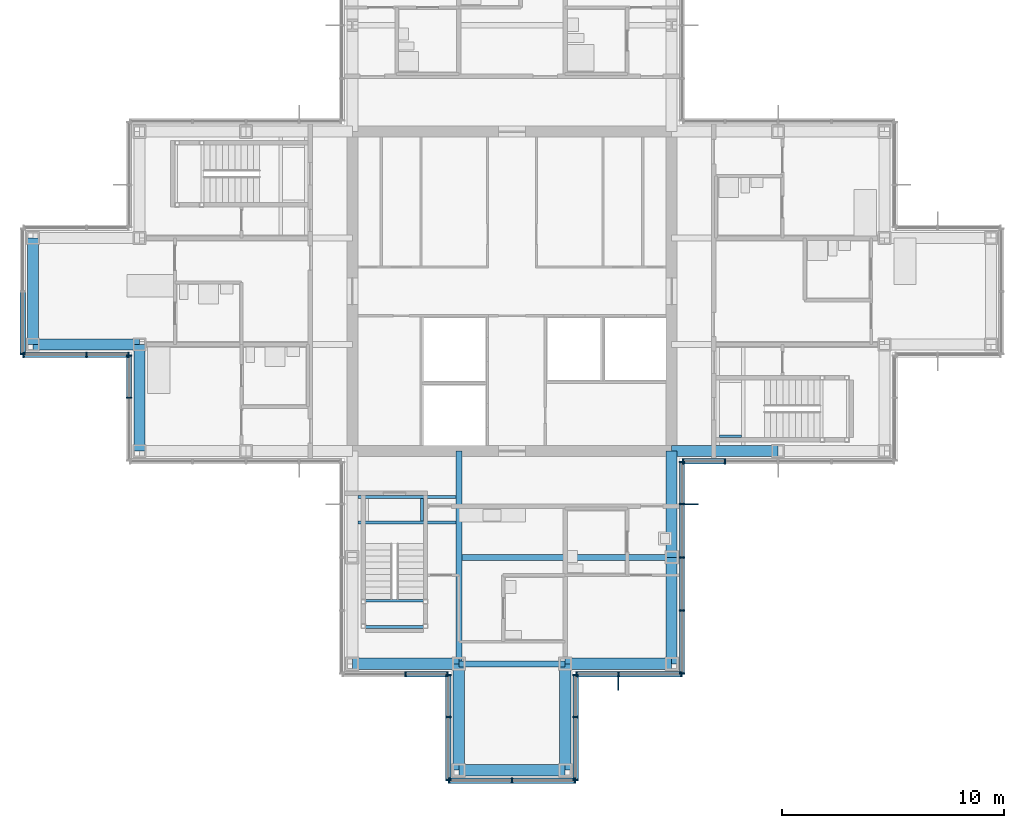
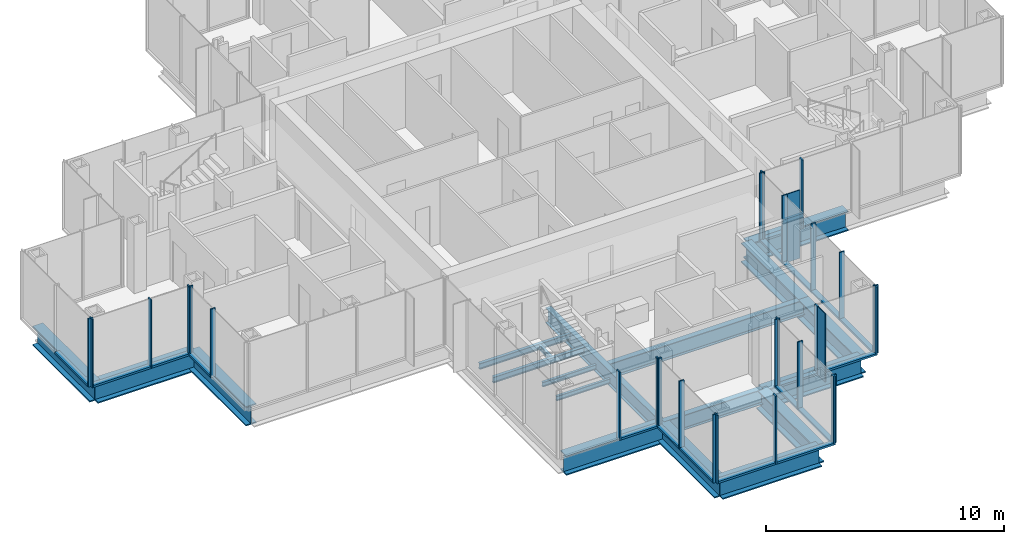
# One storey, part 6 of 17: 47 members, 20 beams, 10 elements without a shape of their own.
"""IFC4 building model written with IfcOpenShell, lengths in metres."""

from ifc_helpers import new_model, si_unit, direction, frame, origin, origin_2d, place, context, subcontext, project, spatial, rectangle, i_section, extrude, material, material_profile, profile_set, type_object, element, aggregate, save


model = new_model("IFC4")

# Units and contexts
model_context = context("Model", 3, precision=1e-05, world=origin(), true_north=direction((0.0, 1.0)))
body_context = subcontext(model_context, "Body", "Model", "MODEL_VIEW")
ifc_project = project(units=[si_unit("LENGTHUNIT", "METRE"), si_unit("AREAUNIT", "SQUARE_METRE"), si_unit("VOLUMEUNIT", "CUBIC_METRE"), si_unit("PLANEANGLEUNIT", "RADIAN"), si_unit("MASSUNIT", "GRAM", prefix="KILO")], contexts=[model_context])

# Site, building, storey
site_placement = place(None, origin())
site = spatial("IfcSite", under=ifc_project, at=site_placement, CompositionType="ELEMENT")
building_placement = place(site_placement, origin())
building = spatial("IfcBuilding", under=site, at=building_placement, Name="Kvirike Care Tower", CompositionType="ELEMENT")
storey_placement = place(building_placement, frame((0.0, 0.0, 148.0)))
storey = spatial("IfcBuildingStorey", under=building, at=storey_placement, Name="L40", CompositionType="ELEMENT", Elevation=148.0)

# Curtain wall, member
ifc_material_1 = material(Name="Anodised aluminium stick system", Category="aluminium")
curtain_wall_type = type_object("IfcCurtainWallType", Name="CW-C STICK CURTAIN WALL", PredefinedType="NOTDEFINED", material=ifc_material_1)
curtain_wall_1_placement = place(storey_placement, origin())
curtain_wall_1 = element("IfcCurtainWall", 1, at=curtain_wall_1_placement, inside=storey, type_object=curtain_wall_type, Name="Curtain wall L40 face 27", PredefinedType="NOTDEFINED")
ifc_material_2 = material(Name="Bronze anodised aluminium fin", Category="aluminium")
ifc_material_profile_1 = material_profile(ifc_material_2, rectangle(XDim=0.050048828125, YDim=0.60009765625, at=origin_2d()), Name="BRONZE FIN 600")
ifc_profile_set_1 = profile_set([ifc_material_profile_1], Name="Bronze anodised aluminium fin")
member_type_1 = type_object("IfcMemberType", Name="BRONZE FIN 600", PredefinedType="USERDEFINED", material=ifc_profile_set_1)
member_1_placement = place(storey_placement, frame((26.39990234375, 18.31005859375, 0.0), z_axis=(0.0, 0.0, 1.0), x_axis=(1.0, 0.0, 0.0)))
member_1 = element("IfcMember", 2, at=member_1_placement, type_object=member_type_1, Name="Bronze fin L40 face 27.2", ObjectType="FIN", PredefinedType="USERDEFINED", context=body_context, shape_type="SweptSolid", body=[
    extrude(rectangle(XDim=0.050048828125, YDim=0.60009765625, at=origin_2d()), origin(), (0.0, 0.0, 1.0), 3.5),
])

curtain_wall_2_placement = place(storey_placement, origin())
curtain_wall_2 = element("IfcCurtainWall", 3, at=curtain_wall_2_placement, inside=storey, type_object=curtain_wall_type, Name="Curtain wall L40 face 28", PredefinedType="NOTDEFINED")
member_2_placement = place(storey_placement, frame((29.68994140625, 26.39990234375, 0.0), z_axis=(0.0, 0.0, 1.0), x_axis=(0.0, 1.0, 0.0)))
member_2 = element("IfcMember", 4, at=member_2_placement, type_object=member_type_1, Name="Bronze fin L40 face 28.4", ObjectType="FIN", PredefinedType="USERDEFINED", context=body_context, shape_type="SweptSolid", body=[
    extrude(rectangle(XDim=0.050048828125, YDim=0.60009765625, at=origin_2d()), origin(), (0.0, 0.0, 1.0), 3.5),
])

# Curtain wall, members
curtain_wall_3_placement = place(storey_placement, origin())
curtain_wall_3 = element("IfcCurtainWall", 5, at=curtain_wall_3_placement, inside=storey, type_object=curtain_wall_type, Name="Curtain wall L40 face 1", PredefinedType="NOTDEFINED")
ifc_material_3 = material(Name="Bronze anodised aluminium mullion", Category="aluminium")
ifc_material_profile_2 = material_profile(ifc_material_3, rectangle(XDim=0.06494140625, YDim=0.239990234375, at=origin_2d()), Name="CW-C MULLION 65x240")
ifc_profile_set_2 = profile_set([ifc_material_profile_2], Name="Bronze anodised aluminium mullion")
member_type_2 = type_object("IfcMemberType", Name="CW-C MULLION 65x240", PredefinedType="MULLION", material=ifc_profile_set_2)
member_3_placement = place(storey_placement, frame((29.302490234375, 28.330078125, 0.0), z_axis=(0.0, 0.0, 1.0), x_axis=(1.0, 0.0, 0.0)))
member_3 = element("IfcMember", 6, at=member_3_placement, type_object=member_type_2, Name="CW-C mullion L40 face 1.1", PredefinedType="MULLION", context=body_context, shape_type="SweptSolid", body=[
    extrude(rectangle(XDim=0.06494140625, YDim=0.239990234375, at=origin_2d()), origin(), (0.0, 0.0, 1.0), 3.5),
])
member_4_placement = place(storey_placement, frame((31.199951171875, 28.330078125, 0.0), z_axis=(0.0, 0.0, 1.0), x_axis=(1.0, 0.0, 0.0)))
member_4 = element("IfcMember", 7, at=member_4_placement, type_object=member_type_2, Name="CW-C mullion L40 face 1.2", PredefinedType="MULLION", context=body_context, shape_type="SweptSolid", body=[
    extrude(rectangle(XDim=0.06494140625, YDim=0.239990234375, at=origin_2d()), origin(), (0.0, 0.0, 1.0), 3.5),
])

# Curtain wall, member
curtain_wall_4_placement = place(storey_placement, origin())
curtain_wall_4 = element("IfcCurtainWall", 8, at=curtain_wall_4_placement, inside=storey, type_object=curtain_wall_type, Name="Curtain wall L40 face 18", PredefinedType="NOTDEFINED")
member_5_placement = place(storey_placement, frame((-0.469970703125, 33.16259765625, 0.0), z_axis=(0.0, 0.0, 1.0), x_axis=(0.0, -1.0, 0.0)))
member_5 = element("IfcMember", 9, at=member_5_placement, type_object=member_type_2, Name="CW-C mullion L40 face 18.3", PredefinedType="MULLION", context=body_context, shape_type="SweptSolid", body=[
    extrude(rectangle(XDim=0.06494140625, YDim=0.239990234375, at=origin_2d()), origin(), (0.0, 0.0, 1.0), 3.5),
])

# Curtain wall, members
curtain_wall_5_placement = place(storey_placement, origin())
curtain_wall_5 = element("IfcCurtainWall", 10, at=curtain_wall_5_placement, inside=storey, type_object=curtain_wall_type, Name="Curtain wall L40 face 19", PredefinedType="NOTDEFINED")
member_6_placement = place(storey_placement, frame((-0.4375, 33.1298828125, 0.0), z_axis=(0.0, 0.0, 1.0), x_axis=(1.0, 0.0, 0.0)))
member_6 = element("IfcMember", 11, at=member_6_placement, type_object=member_type_2, Name="CW-C mullion L40 face 19.1", PredefinedType="MULLION", context=body_context, shape_type="SweptSolid", body=[
    extrude(rectangle(XDim=0.06494140625, YDim=0.239990234375, at=origin_2d()), origin(), (0.0, 0.0, 1.0), 3.5),
])
member_7_placement = place(storey_placement, frame((2.39990234375, 33.1298828125, 0.0), z_axis=(0.0, 0.0, 1.0), x_axis=(1.0, 0.0, 0.0)))
member_7 = element("IfcMember", 12, at=member_7_placement, type_object=member_type_2, Name="CW-C mullion L40 face 19.2", PredefinedType="MULLION", context=body_context, shape_type="SweptSolid", body=[
    extrude(rectangle(XDim=0.06494140625, YDim=0.239990234375, at=origin_2d()), origin(), (0.0, 0.0, 1.0), 3.5),
])
member_8_placement = place(storey_placement, frame((4.297607421875, 33.1298828125, 0.0), z_axis=(0.0, 0.0, 1.0), x_axis=(1.0, 0.0, 0.0)))
member_8 = element("IfcMember", 13, at=member_8_placement, type_object=member_type_2, Name="CW-C mullion L40 face 19.3", PredefinedType="MULLION", context=body_context, shape_type="SweptSolid", body=[
    extrude(rectangle(XDim=0.06494140625, YDim=0.239990234375, at=origin_2d()), origin(), (0.0, 0.0, 1.0), 3.5),
])

curtain_wall_6_placement = place(storey_placement, origin())
curtain_wall_6 = element("IfcCurtainWall", 14, at=curtain_wall_6_placement, inside=storey, type_object=curtain_wall_type, Name="Curtain wall L40 face 20", PredefinedType="NOTDEFINED")
member_9_placement = place(storey_placement, frame((4.330078125, 33.097412109375, 0.0), z_axis=(0.0, 0.0, 1.0), x_axis=(0.0, -1.0, 0.0)))
member_9 = element("IfcMember", 15, at=member_9_placement, type_object=member_type_2, Name="CW-C mullion L40 face 20.1", PredefinedType="MULLION", context=body_context, shape_type="SweptSolid", body=[
    extrude(rectangle(XDim=0.06494140625, YDim=0.239990234375, at=origin_2d()), origin(), (0.0, 0.0, 1.0), 3.5),
])
member_10_placement = place(storey_placement, frame((4.330078125, 31.199951171875, 0.0), z_axis=(0.0, 0.0, 1.0), x_axis=(0.0, -1.0, 0.0)))
member_10 = element("IfcMember", 16, at=member_10_placement, type_object=member_type_2, Name="CW-C mullion L40 face 20.2", PredefinedType="MULLION", context=body_context, shape_type="SweptSolid", body=[
    extrude(rectangle(XDim=0.06494140625, YDim=0.239990234375, at=origin_2d()), origin(), (0.0, 0.0, 1.0), 3.5),
])

curtain_wall_7_placement = place(storey_placement, origin())
curtain_wall_7 = element("IfcCurtainWall", 17, at=curtain_wall_7_placement, inside=storey, type_object=curtain_wall_type, Name="Curtain wall L40 face 23", PredefinedType="NOTDEFINED")
member_11_placement = place(storey_placement, frame((16.800048828125, 18.72998046875, 0.0), z_axis=(0.0, 0.0, 1.0), x_axis=(1.0, 0.0, 0.0)))
member_11 = element("IfcMember", 18, at=member_11_placement, type_object=member_type_2, Name="CW-C mullion L40 face 23.2", PredefinedType="MULLION", context=body_context, shape_type="SweptSolid", body=[
    extrude(rectangle(XDim=0.06494140625, YDim=0.239990234375, at=origin_2d()), origin(), (0.0, 0.0, 1.0), 3.5),
])
member_12_placement = place(storey_placement, frame((18.697509765625, 18.72998046875, 0.0), z_axis=(0.0, 0.0, 1.0), x_axis=(1.0, 0.0, 0.0)))
member_12 = element("IfcMember", 19, at=member_12_placement, type_object=member_type_2, Name="CW-C mullion L40 face 23.3", PredefinedType="MULLION", context=body_context, shape_type="SweptSolid", body=[
    extrude(rectangle(XDim=0.06494140625, YDim=0.239990234375, at=origin_2d()), origin(), (0.0, 0.0, 1.0), 3.5),
])

curtain_wall_8_placement = place(storey_placement, origin())
curtain_wall_8 = element("IfcCurtainWall", 20, at=curtain_wall_8_placement, inside=storey, type_object=curtain_wall_type, Name="Curtain wall L40 face 24", PredefinedType="NOTDEFINED")
member_13_placement = place(storey_placement, frame((18.72998046875, 18.697509765625, 0.0), z_axis=(0.0, 0.0, 1.0), x_axis=(0.0, -1.0, 0.0)))
member_13 = element("IfcMember", 21, at=member_13_placement, type_object=member_type_2, Name="CW-C mullion L40 face 24.1", PredefinedType="MULLION", context=body_context, shape_type="SweptSolid", body=[
    extrude(rectangle(XDim=0.06494140625, YDim=0.239990234375, at=origin_2d()), origin(), (0.0, 0.0, 1.0), 3.5),
])
member_14_placement = place(storey_placement, frame((18.72998046875, 16.800048828125, 0.0), z_axis=(0.0, 0.0, 1.0), x_axis=(0.0, -1.0, 0.0)))
member_14 = element("IfcMember", 22, at=member_14_placement, type_object=member_type_2, Name="CW-C mullion L40 face 24.2", PredefinedType="MULLION", context=body_context, shape_type="SweptSolid", body=[
    extrude(rectangle(XDim=0.06494140625, YDim=0.239990234375, at=origin_2d()), origin(), (0.0, 0.0, 1.0), 3.5),
])
member_15_placement = place(storey_placement, frame((18.72998046875, 13.96240234375, 0.0), z_axis=(0.0, 0.0, 1.0), x_axis=(0.0, -1.0, 0.0)))
member_15 = element("IfcMember", 23, at=member_15_placement, type_object=member_type_2, Name="CW-C mullion L40 face 24.3", PredefinedType="MULLION", context=body_context, shape_type="SweptSolid", body=[
    extrude(rectangle(XDim=0.06494140625, YDim=0.239990234375, at=origin_2d()), origin(), (0.0, 0.0, 1.0), 3.5),
])

curtain_wall_9_placement = place(storey_placement, origin())
curtain_wall_9 = element("IfcCurtainWall", 24, at=curtain_wall_9_placement, inside=storey, type_object=curtain_wall_type, Name="Curtain wall L40 face 25", PredefinedType="NOTDEFINED")
member_16_placement = place(storey_placement, frame((18.762451171875, 13.929931640625, 0.0), z_axis=(0.0, 0.0, 1.0), x_axis=(1.0, 0.0, 0.0)))
member_16 = element("IfcMember", 25, at=member_16_placement, type_object=member_type_2, Name="CW-C mullion L40 face 25.1", PredefinedType="MULLION", context=body_context, shape_type="SweptSolid", body=[
    extrude(rectangle(XDim=0.06494140625, YDim=0.239990234375, at=origin_2d()), origin(), (0.0, 0.0, 1.0), 3.5),
])
member_17_placement = place(storey_placement, frame((21.60009765625, 13.929931640625, 0.0), z_axis=(0.0, 0.0, 1.0), x_axis=(1.0, 0.0, 0.0)))
member_17 = element("IfcMember", 26, at=member_17_placement, type_object=member_type_2, Name="CW-C mullion L40 face 25.2", PredefinedType="MULLION", context=body_context, shape_type="SweptSolid", body=[
    extrude(rectangle(XDim=0.06494140625, YDim=0.239990234375, at=origin_2d()), origin(), (0.0, 0.0, 1.0), 3.5),
])
member_18_placement = place(storey_placement, frame((24.4375, 13.929931640625, 0.0), z_axis=(0.0, 0.0, 1.0), x_axis=(1.0, 0.0, 0.0)))
member_18 = element("IfcMember", 27, at=member_18_placement, type_object=member_type_2, Name="CW-C mullion L40 face 25.3", PredefinedType="MULLION", context=body_context, shape_type="SweptSolid", body=[
    extrude(rectangle(XDim=0.06494140625, YDim=0.239990234375, at=origin_2d()), origin(), (0.0, 0.0, 1.0), 3.5),
])

curtain_wall_10_placement = place(storey_placement, origin())
curtain_wall_10 = element("IfcCurtainWall", 28, at=curtain_wall_10_placement, inside=storey, type_object=curtain_wall_type, Name="Curtain wall L40 face 26", PredefinedType="NOTDEFINED")
member_19_placement = place(storey_placement, frame((24.469970703125, 13.96240234375, 0.0), z_axis=(0.0, 0.0, 1.0), x_axis=(0.0, 1.0, 0.0)))
member_19 = element("IfcMember", 29, at=member_19_placement, type_object=member_type_2, Name="CW-C mullion L40 face 26.1", PredefinedType="MULLION", context=body_context, shape_type="SweptSolid", body=[
    extrude(rectangle(XDim=0.06494140625, YDim=0.239990234375, at=origin_2d()), origin(), (0.0, 0.0, 1.0), 3.5),
])
member_20_placement = place(storey_placement, frame((24.469970703125, 16.800048828125, 0.0), z_axis=(0.0, 0.0, 1.0), x_axis=(0.0, 1.0, 0.0)))
member_20 = element("IfcMember", 30, at=member_20_placement, type_object=member_type_2, Name="CW-C mullion L40 face 26.2", PredefinedType="MULLION", context=body_context, shape_type="SweptSolid", body=[
    extrude(rectangle(XDim=0.06494140625, YDim=0.239990234375, at=origin_2d()), origin(), (0.0, 0.0, 1.0), 3.5),
])
member_21_placement = place(storey_placement, frame((24.469970703125, 18.697509765625, 0.0), z_axis=(0.0, 0.0, 1.0), x_axis=(0.0, 1.0, 0.0)))
member_21 = element("IfcMember", 31, at=member_21_placement, type_object=member_type_2, Name="CW-C mullion L40 face 26.3", PredefinedType="MULLION", context=body_context, shape_type="SweptSolid", body=[
    extrude(rectangle(XDim=0.06494140625, YDim=0.239990234375, at=origin_2d()), origin(), (0.0, 0.0, 1.0), 3.5),
])

# Member
member_22_placement = place(storey_placement, frame((24.50244140625, 18.72998046875, 0.0), z_axis=(0.0, 0.0, 1.0), x_axis=(1.0, 0.0, 0.0)))
member_22 = element("IfcMember", 32, at=member_22_placement, type_object=member_type_2, Name="CW-C mullion L40 face 27.1", PredefinedType="MULLION", context=body_context, shape_type="SweptSolid", body=[
    extrude(rectangle(XDim=0.06494140625, YDim=0.239990234375, at=origin_2d()), origin(), (0.0, 0.0, 1.0), 3.5),
])

member_23_placement = place(storey_placement, frame((26.39990234375, 18.72998046875, 0.0), z_axis=(0.0, 0.0, 1.0), x_axis=(1.0, 0.0, 0.0)))
member_23 = element("IfcMember", 33, at=member_23_placement, type_object=member_type_2, Name="CW-C mullion L40 face 27.2", PredefinedType="MULLION", context=body_context, shape_type="SweptSolid", body=[
    extrude(rectangle(XDim=0.06494140625, YDim=0.239990234375, at=origin_2d()), origin(), (0.0, 0.0, 1.0), 3.5),
])

member_24_placement = place(storey_placement, frame((29.237548828125, 18.72998046875, 0.0), z_axis=(0.0, 0.0, 1.0), x_axis=(1.0, 0.0, 0.0)))
member_24 = element("IfcMember", 34, at=member_24_placement, type_object=member_type_2, Name="CW-C mullion L40 face 27.3", PredefinedType="MULLION", context=body_context, shape_type="SweptSolid", body=[
    extrude(rectangle(XDim=0.06494140625, YDim=0.239990234375, at=origin_2d()), origin(), (0.0, 0.0, 1.0), 3.5),
])

member_25_placement = place(storey_placement, frame((29.27001953125, 18.762451171875, 0.0), z_axis=(0.0, 0.0, 1.0), x_axis=(0.0, 1.0, 0.0)))
member_25 = element("IfcMember", 35, at=member_25_placement, type_object=member_type_2, Name="CW-C mullion L40 face 28.1", PredefinedType="MULLION", context=body_context, shape_type="SweptSolid", body=[
    extrude(rectangle(XDim=0.06494140625, YDim=0.239990234375, at=origin_2d()), origin(), (0.0, 0.0, 1.0), 3.5),
])

member_26_placement = place(storey_placement, frame((29.27001953125, 21.60009765625, 0.0), z_axis=(0.0, 0.0, 1.0), x_axis=(0.0, 1.0, 0.0)))
member_26 = element("IfcMember", 36, at=member_26_placement, type_object=member_type_2, Name="CW-C mullion L40 face 28.2", PredefinedType="MULLION", context=body_context, shape_type="SweptSolid", body=[
    extrude(rectangle(XDim=0.06494140625, YDim=0.239990234375, at=origin_2d()), origin(), (0.0, 0.0, 1.0), 3.5),
])

member_27_placement = place(storey_placement, frame((29.27001953125, 24.0, 0.0), z_axis=(0.0, 0.0, 1.0), x_axis=(0.0, 1.0, 0.0)))
member_27 = element("IfcMember", 37, at=member_27_placement, type_object=member_type_2, Name="CW-C mullion L40 face 28.3", PredefinedType="MULLION", context=body_context, shape_type="SweptSolid", body=[
    extrude(rectangle(XDim=0.06494140625, YDim=0.239990234375, at=origin_2d()), origin(), (0.0, 0.0, 1.0), 3.5),
])

member_28_placement = place(storey_placement, frame((29.27001953125, 26.39990234375, 0.0), z_axis=(0.0, 0.0, 1.0), x_axis=(0.0, 1.0, 0.0)))
member_28 = element("IfcMember", 38, at=member_28_placement, type_object=member_type_2, Name="CW-C mullion L40 face 28.4", PredefinedType="MULLION", context=body_context, shape_type="SweptSolid", body=[
    extrude(rectangle(XDim=0.06494140625, YDim=0.239990234375, at=origin_2d()), origin(), (0.0, 0.0, 1.0), 3.5),
])

member_29_placement = place(storey_placement, frame((29.27001953125, 28.297607421875, 0.0), z_axis=(0.0, 0.0, 1.0), x_axis=(0.0, 1.0, 0.0)))
member_29 = element("IfcMember", 39, at=member_29_placement, type_object=member_type_2, Name="CW-C mullion L40 face 28.5", PredefinedType="MULLION", context=body_context, shape_type="SweptSolid", body=[
    extrude(rectangle(XDim=0.06494140625, YDim=0.239990234375, at=origin_2d()), origin(), (0.0, 0.0, 1.0), 3.5),
])

ifc_material_4 = material(Name="Bronze anodised aluminium transom", Category="aluminium")
ifc_material_profile_3 = material_profile(ifc_material_4, rectangle(XDim=0.239990234375, YDim=0.10009765625, at=origin_2d()), Name="CW-C TRANSOM 240x100")
ifc_profile_set_3 = profile_set([ifc_material_profile_3], Name="Bronze anodised aluminium transom")
member_type_3 = type_object("IfcMemberType", Name="CW-C TRANSOM 240x100", PredefinedType="USERDEFINED", material=ifc_profile_set_3)
member_30_placement = place(storey_placement, frame((29.3349609375, 28.330078125, 0.050048828125), z_axis=(1.0, 0.0, 0.0), x_axis=(0.0, 1.0, 0.0)))
member_30 = element("IfcMember", 40, at=member_30_placement, type_object=member_type_3, Name="CW-C sill transom L40 face 1.1", ObjectType="TRANSOM", PredefinedType="USERDEFINED", context=body_context, shape_type="SweptSolid", body=[
    extrude(rectangle(XDim=0.239990234375, YDim=0.10009765625, at=origin_2d()), origin(), (0.0, 0.0, 1.0), 1.83251953125),
])

aggregate(curtain_wall_3, [member_3, member_4, member_30])

member_31_placement = place(storey_placement, frame((-0.469970703125, 35.967529296875, 0.050048828125), z_axis=(0.0, -1.0, 0.0), x_axis=(1.0, 0.0, 0.0)))
member_31 = element("IfcMember", 41, at=member_31_placement, type_object=member_type_3, Name="CW-C sill transom L40 face 18.2", ObjectType="TRANSOM", PredefinedType="USERDEFINED", context=body_context, shape_type="SweptSolid", body=[
    extrude(rectangle(XDim=0.239990234375, YDim=0.10009765625, at=origin_2d()), origin(), (0.0, 0.0, 1.0), 2.7724609375),
])

aggregate(curtain_wall_4, [member_5, member_31])

member_32_placement = place(storey_placement, frame((-0.405029296875, 33.1298828125, 0.050048828125), z_axis=(1.0, 0.0, 0.0), x_axis=(0.0, 1.0, 0.0)))
member_32 = element("IfcMember", 42, at=member_32_placement, type_object=member_type_3, Name="CW-C sill transom L40 face 19.1", ObjectType="TRANSOM", PredefinedType="USERDEFINED", context=body_context, shape_type="SweptSolid", body=[
    extrude(rectangle(XDim=0.239990234375, YDim=0.10009765625, at=origin_2d()), origin(), (0.0, 0.0, 1.0), 2.7724609375),
])

member_33_placement = place(storey_placement, frame((2.4326171875, 33.1298828125, 0.050048828125), z_axis=(1.0, 0.0, 0.0), x_axis=(0.0, 1.0, 0.0)))
member_33 = element("IfcMember", 43, at=member_33_placement, type_object=member_type_3, Name="CW-C sill transom L40 face 19.2", ObjectType="TRANSOM", PredefinedType="USERDEFINED", context=body_context, shape_type="SweptSolid", body=[
    extrude(rectangle(XDim=0.239990234375, YDim=0.10009765625, at=origin_2d()), origin(), (0.0, 0.0, 1.0), 1.832275390625),
])

aggregate(curtain_wall_5, [member_6, member_7, member_8, member_32, member_33])

member_34_placement = place(storey_placement, frame((4.330078125, 33.06494140625, 0.050048828125), z_axis=(0.0, -1.0, 0.0), x_axis=(1.0, 0.0, 0.0)))
member_34 = element("IfcMember", 44, at=member_34_placement, type_object=member_type_3, Name="CW-C sill transom L40 face 20.1", ObjectType="TRANSOM", PredefinedType="USERDEFINED", context=body_context, shape_type="SweptSolid", body=[
    extrude(rectangle(XDim=0.239990234375, YDim=0.10009765625, at=origin_2d()), origin(), (0.0, 0.0, 1.0), 1.83251953125),
])

aggregate(curtain_wall_6, [member_9, member_10, member_34])

member_35_placement = place(storey_placement, frame((16.83251953125, 18.72998046875, 0.050048828125), z_axis=(1.0, 0.0, 0.0), x_axis=(0.0, 1.0, 0.0)))
member_35 = element("IfcMember", 45, at=member_35_placement, type_object=member_type_3, Name="CW-C sill transom L40 face 23.2", ObjectType="TRANSOM", PredefinedType="USERDEFINED", context=body_context, shape_type="SweptSolid", body=[
    extrude(rectangle(XDim=0.239990234375, YDim=0.10009765625, at=origin_2d()), origin(), (0.0, 0.0, 1.0), 1.83251953125),
])

aggregate(curtain_wall_7, [member_11, member_12, member_35])

member_36_placement = place(storey_placement, frame((18.72998046875, 18.6650390625, 0.050048828125), z_axis=(0.0, -1.0, 0.0), x_axis=(1.0, 0.0, 0.0)))
member_36 = element("IfcMember", 46, at=member_36_placement, type_object=member_type_3, Name="CW-C sill transom L40 face 24.1", ObjectType="TRANSOM", PredefinedType="USERDEFINED", context=body_context, shape_type="SweptSolid", body=[
    extrude(rectangle(XDim=0.239990234375, YDim=0.10009765625, at=origin_2d()), origin(), (0.0, 0.0, 1.0), 1.83251953125),
])

member_37_placement = place(storey_placement, frame((18.72998046875, 16.767578125, 0.050048828125), z_axis=(0.0, -1.0, 0.0), x_axis=(1.0, 0.0, 0.0)))
member_37 = element("IfcMember", 47, at=member_37_placement, type_object=member_type_3, Name="CW-C sill transom L40 face 24.2", ObjectType="TRANSOM", PredefinedType="USERDEFINED", context=body_context, shape_type="SweptSolid", body=[
    extrude(rectangle(XDim=0.239990234375, YDim=0.10009765625, at=origin_2d()), origin(), (0.0, 0.0, 1.0), 2.7724609375),
])

aggregate(curtain_wall_8, [member_13, member_14, member_15, member_36, member_37])

member_38_placement = place(storey_placement, frame((18.794921875, 13.929931640625, 0.050048828125), z_axis=(1.0, 0.0, 0.0), x_axis=(0.0, 1.0, 0.0)))
member_38 = element("IfcMember", 48, at=member_38_placement, type_object=member_type_3, Name="CW-C sill transom L40 face 25.1", ObjectType="TRANSOM", PredefinedType="USERDEFINED", context=body_context, shape_type="SweptSolid", body=[
    extrude(rectangle(XDim=0.239990234375, YDim=0.10009765625, at=origin_2d()), origin(), (0.0, 0.0, 1.0), 2.7724609375),
])

member_39_placement = place(storey_placement, frame((21.632568359375, 13.929931640625, 0.050048828125), z_axis=(1.0, 0.0, 0.0), x_axis=(0.0, 1.0, 0.0)))
member_39 = element("IfcMember", 49, at=member_39_placement, type_object=member_type_3, Name="CW-C sill transom L40 face 25.2", ObjectType="TRANSOM", PredefinedType="USERDEFINED", context=body_context, shape_type="SweptSolid", body=[
    extrude(rectangle(XDim=0.239990234375, YDim=0.10009765625, at=origin_2d()), origin(), (0.0, 0.0, 1.0), 2.7724609375),
])

aggregate(curtain_wall_9, [member_16, member_17, member_18, member_38, member_39])

member_40_placement = place(storey_placement, frame((24.469970703125, 13.9951171875, 0.050048828125), z_axis=(0.0, 1.0, 0.0), x_axis=(-1.0, 0.0, 0.0)))
member_40 = element("IfcMember", 50, at=member_40_placement, type_object=member_type_3, Name="CW-C sill transom L40 face 26.1", ObjectType="TRANSOM", PredefinedType="USERDEFINED", context=body_context, shape_type="SweptSolid", body=[
    extrude(rectangle(XDim=0.239990234375, YDim=0.10009765625, at=origin_2d()), origin(), (0.0, 0.0, 1.0), 2.7724609375),
])

member_41_placement = place(storey_placement, frame((24.469970703125, 16.83251953125, 0.050048828125), z_axis=(0.0, 1.0, 0.0), x_axis=(-1.0, 0.0, 0.0)))
member_41 = element("IfcMember", 51, at=member_41_placement, type_object=member_type_3, Name="CW-C sill transom L40 face 26.2", ObjectType="TRANSOM", PredefinedType="USERDEFINED", context=body_context, shape_type="SweptSolid", body=[
    extrude(rectangle(XDim=0.239990234375, YDim=0.10009765625, at=origin_2d()), origin(), (0.0, 0.0, 1.0), 1.83251953125),
])

aggregate(curtain_wall_10, [member_19, member_20, member_21, member_40, member_41])

member_42_placement = place(storey_placement, frame((24.534912109375, 18.72998046875, 0.050048828125), z_axis=(1.0, 0.0, 0.0), x_axis=(0.0, 1.0, 0.0)))
member_42 = element("IfcMember", 52, at=member_42_placement, type_object=member_type_3, Name="CW-C sill transom L40 face 27.1", ObjectType="TRANSOM", PredefinedType="USERDEFINED", context=body_context, shape_type="SweptSolid", body=[
    extrude(rectangle(XDim=0.239990234375, YDim=0.10009765625, at=origin_2d()), origin(), (0.0, 0.0, 1.0), 1.83251953125),
])

member_43_placement = place(storey_placement, frame((26.4326171875, 18.72998046875, 0.050048828125), z_axis=(1.0, 0.0, 0.0), x_axis=(0.0, 1.0, 0.0)))
member_43 = element("IfcMember", 53, at=member_43_placement, type_object=member_type_3, Name="CW-C sill transom L40 face 27.2", ObjectType="TRANSOM", PredefinedType="USERDEFINED", context=body_context, shape_type="SweptSolid", body=[
    extrude(rectangle(XDim=0.239990234375, YDim=0.10009765625, at=origin_2d()), origin(), (0.0, 0.0, 1.0), 2.7724609375),
])

aggregate(curtain_wall_1, [member_22, member_23, member_1, member_24, member_42, member_43])

member_44_placement = place(storey_placement, frame((29.27001953125, 18.794921875, 0.050048828125), z_axis=(0.0, 1.0, 0.0), x_axis=(-1.0, 0.0, 0.0)))
member_44 = element("IfcMember", 54, at=member_44_placement, type_object=member_type_3, Name="CW-C sill transom L40 face 28.1", ObjectType="TRANSOM", PredefinedType="USERDEFINED", context=body_context, shape_type="SweptSolid", body=[
    extrude(rectangle(XDim=0.239990234375, YDim=0.10009765625, at=origin_2d()), origin(), (0.0, 0.0, 1.0), 2.7724609375),
])

member_45_placement = place(storey_placement, frame((29.27001953125, 21.632568359375, 0.050048828125), z_axis=(0.0, 1.0, 0.0), x_axis=(-1.0, 0.0, 0.0)))
member_45 = element("IfcMember", 55, at=member_45_placement, type_object=member_type_3, Name="CW-C sill transom L40 face 28.2", ObjectType="TRANSOM", PredefinedType="USERDEFINED", context=body_context, shape_type="SweptSolid", body=[
    extrude(rectangle(XDim=0.239990234375, YDim=0.10009765625, at=origin_2d()), origin(), (0.0, 0.0, 1.0), 2.3349609375),
])

member_46_placement = place(storey_placement, frame((29.27001953125, 24.032470703125, 0.050048828125), z_axis=(0.0, 1.0, 0.0), x_axis=(-1.0, 0.0, 0.0)))
member_46 = element("IfcMember", 56, at=member_46_placement, type_object=member_type_3, Name="CW-C sill transom L40 face 28.3", ObjectType="TRANSOM", PredefinedType="USERDEFINED", context=body_context, shape_type="SweptSolid", body=[
    extrude(rectangle(XDim=0.239990234375, YDim=0.10009765625, at=origin_2d()), origin(), (0.0, 0.0, 1.0), 2.3349609375),
])

member_47_placement = place(storey_placement, frame((29.27001953125, 26.4326171875, 0.050048828125), z_axis=(0.0, 1.0, 0.0), x_axis=(-1.0, 0.0, 0.0)))
member_47 = element("IfcMember", 57, at=member_47_placement, type_object=member_type_3, Name="CW-C sill transom L40 face 28.4", ObjectType="TRANSOM", PredefinedType="USERDEFINED", context=body_context, shape_type="SweptSolid", body=[
    extrude(rectangle(XDim=0.239990234375, YDim=0.10009765625, at=origin_2d()), origin(), (0.0, 0.0, 1.0), 1.832275390625),
])

aggregate(curtain_wall_2, [member_25, member_26, member_27, member_28, member_2, member_29, member_44, member_45, member_46, member_47])

# Beams
ifc_material_5 = material(Name="Steel S355", Category="steel")
ifc_material_profile_4 = material_profile(ifc_material_5, i_section(OverallWidth=0.26806640625, OverallDepth=0.77001953125, WebThickness=0.015625, FlangeThickness=0.025390625, FilletRadius=0.01708984375, at=origin_2d()), Name="IPE 750x196")
ifc_profile_set_4 = profile_set([ifc_material_profile_4], Name="Steel S355")
beam_type_1 = type_object("IfcBeamType", Name="FLOOR BEAM IPE 750x196", PredefinedType="BEAM", material=ifc_profile_set_4)
beam_1_placement = place(storey_placement, frame((19.199951171875, 19.199951171875, -0.554931640625), z_axis=(1.0, 0.0, 0.0), x_axis=(0.0, 1.0, 0.0)))
element("IfcBeam", 58, at=beam_1_placement, inside=storey, type_object=beam_type_1, Name="Floor Beam E7-E8 L40", PredefinedType="BEAM", context=body_context, shape_type="SweptSolid", body=[
    extrude(i_section(OverallWidth=0.26806640625, OverallDepth=0.77001953125, WebThickness=0.015625, FlangeThickness=0.025390625, FilletRadius=0.01708984375, at=origin_2d()), origin(), (0.0, 0.0, 1.0), 4.800048828125),
])
for number, where, z_axis, x_axis, name in (
    (59, (19.199951171875, 24.0, -0.554931640625), (1.0, 0.0, 0.0), (0.0, 1.0, 0.0), "Floor Beam F7-F9 L40"),
    (60, (19.199951171875, 19.199951171875, -0.554931640625), (0.0, 1.0, 0.0), (-1.0, 0.0, 0.0), "Floor Beam E7-G7 L40"),
):
    element("IfcBeam", number, at=place(storey_placement, frame(where, z_axis=z_axis, x_axis=x_axis)), inside=storey, type_object=beam_type_1, Name=name, PredefinedType="BEAM", context=body_context, shape_type="SweptSolid", body=[
        extrude(i_section(OverallWidth=0.26806640625, OverallDepth=0.77001953125, WebThickness=0.015625, FlangeThickness=0.025390625, FilletRadius=0.01708984375, at=origin_2d()), origin(), (0.0, 0.0, 1.0), 9.60009765625),
    ])
ifc_material_6 = material(Name="Steel S355", Category="steel")
ifc_material_profile_5 = material_profile(ifc_material_6, i_section(OverallWidth=0.5, OverallDepth=1.0, WebThickness=0.030029296875, FlangeThickness=0.06005859375, at=origin_2d()), Name="PG 1000x500x30x60")
ifc_profile_set_5 = profile_set([ifc_material_profile_5], Name="Steel S355")
beam_type_2 = type_object("IfcBeamType", Name="SPANDREL PG 1000x500x30x60", PredefinedType="SPANDREL", material=ifc_profile_set_5)
for number, where, z_axis, x_axis, name in (
    (61, (19.199951171875, 14.39990234375, -0.669921875), (1.0, 0.0, 0.0), (0.0, 1.0, 0.0), "Spandrel D7-D8 L40"),
    (62, (14.39990234375, 19.199951171875, -0.669921875), (1.0, 0.0, 0.0), (0.0, 1.0, 0.0), "Spandrel E6-E7 L40"),
    (63, (24.0, 19.199951171875, -0.669921875), (1.0, 0.0, 0.0), (0.0, 1.0, 0.0), "Spandrel E8-E9 L40"),
    (64, (28.800048828125, 28.800048828125, -0.669921875), (1.0, 0.0, 0.0), (0.0, 1.0, 0.0), "Spandrel G9-G10 L40"),
    (65, (0.0, 33.60009765625, -0.669921875), (1.0, 0.0, 0.0), (0.0, 1.0, 0.0), "Spandrel H3-H4 L40"),
):
    element("IfcBeam", number, at=place(storey_placement, frame(where, z_axis=z_axis, x_axis=x_axis)), inside=storey, type_object=beam_type_2, Name=name, PredefinedType="SPANDREL", context=body_context, shape_type="SweptSolid", body=[
        extrude(i_section(OverallWidth=0.5, OverallDepth=1.0, WebThickness=0.030029296875, FlangeThickness=0.06005859375, at=origin_2d()), origin(), (0.0, 0.0, 1.0), 4.800048828125),
    ])
beam_2_placement = place(storey_placement, frame((0.0, 33.60009765625, -0.669921875), z_axis=(0.0, 1.0, 0.0), x_axis=(-1.0, 0.0, 0.0)))
element("IfcBeam", 66, at=beam_2_placement, inside=storey, type_object=beam_type_2, Name="Spandrel H3-J3 L40", PredefinedType="SPANDREL", context=body_context, shape_type="SweptSolid", body=[
    extrude(i_section(OverallWidth=0.5, OverallDepth=1.0, WebThickness=0.030029296875, FlangeThickness=0.06005859375, at=origin_2d()), origin(), (0.0, 0.0, 1.0), 4.7998046875),
])
for number, where, z_axis, x_axis, name in (
    (67, (4.800048828125, 28.800048828125, -0.669921875), (0.0, 1.0, 0.0), (-1.0, 0.0, 0.0), "Spandrel G4-H4 L40"),
    (68, (19.199951171875, 14.39990234375, -0.669921875), (0.0, 1.0, 0.0), (-1.0, 0.0, 0.0), "Spandrel D7-E7 L40"),
    (69, (24.0, 14.39990234375, -0.669921875), (0.0, 1.0, 0.0), (-1.0, 0.0, 0.0), "Spandrel D8-E8 L40"),
    (70, (28.800048828125, 19.199951171875, -0.669921875), (0.0, 1.0, 0.0), (-1.0, 0.0, 0.0), "Spandrel E9-F9 L40"),
    (71, (28.800048828125, 24.0, -0.669921875), (0.0, 1.0, 0.0), (-1.0, 0.0, 0.0), "Spandrel F9-G9 L40"),
):
    element("IfcBeam", number, at=place(storey_placement, frame(where, z_axis=z_axis, x_axis=x_axis)), inside=storey, type_object=beam_type_2, Name=name, PredefinedType="SPANDREL", context=body_context, shape_type="SweptSolid", body=[
        extrude(i_section(OverallWidth=0.5, OverallDepth=1.0, WebThickness=0.030029296875, FlangeThickness=0.06005859375, at=origin_2d()), origin(), (0.0, 0.0, 1.0), 4.800048828125),
    ])
ifc_material_7 = material(Name="Steel S355", Category="steel")
ifc_material_profile_6 = material_profile(ifc_material_7, i_section(OverallWidth=0.1201171875, OverallDepth=0.239990234375, WebThickness=0.006103515625, FlangeThickness=0.009765625, FilletRadius=0.014892578125, at=origin_2d()), Name="IPE 240")
ifc_profile_set_6 = profile_set([ifc_material_profile_6], Name="Steel S355")
beam_type_3 = type_object("IfcBeamType", Name="STAIR LANDING BEAM IPE 240", PredefinedType="BEAM", material=ifc_profile_set_6)
beam_3_placement = place(storey_placement, frame((31.949951171875, 29.4599609375, -0.320068359375), z_axis=(-1.0, 0.0, 0.0), x_axis=(0.0, -1.0, 0.0)))
element("IfcBeam", 72, at=beam_3_placement, inside=storey, type_object=beam_type_3, Name="Stair 2 landing edge beam 1 L40", PredefinedType="BEAM", context=body_context, shape_type="SweptSolid", body=[
    extrude(i_section(OverallWidth=0.1201171875, OverallDepth=0.239990234375, WebThickness=0.006103515625, FlangeThickness=0.009765625, FilletRadius=0.014892578125, at=origin_2d()), origin(), (0.0, 0.0, 1.0), 1.0),
])
for number, where, z_axis, x_axis, name in (
    (73, (15.0, 20.860107421875, 1.429931640625), (1.0, 0.0, 0.0), (0.0, 1.0, 0.0), "Stair 5 landing beam back L40"),
    (74, (15.0, 22.0400390625, 1.429931640625), (1.0, 0.0, 0.0), (0.0, 1.0, 0.0), "Stair 5 landing beam front L40"),
):
    element("IfcBeam", number, at=place(storey_placement, frame(where, z_axis=z_axis, x_axis=x_axis)), inside=storey, type_object=beam_type_3, Name=name, PredefinedType="BEAM", context=body_context, shape_type="SweptSolid", body=[
        extrude(i_section(OverallWidth=0.1201171875, OverallDepth=0.239990234375, WebThickness=0.006103515625, FlangeThickness=0.009765625, FilletRadius=0.014892578125, at=origin_2d()), origin(), (0.0, 0.0, 1.0), 2.60009765625),
    ])
beam_4_placement = place(storey_placement, frame((17.5400390625, 25.64990234375, -0.320068359375), z_axis=(0.0, 1.0, 0.0), x_axis=(-1.0, 0.0, 0.0)))
element("IfcBeam", 75, at=beam_4_placement, inside=storey, type_object=beam_type_3, Name="Stair 5 landing edge beam 2 L40", PredefinedType="BEAM", context=body_context, shape_type="SweptSolid", body=[
    extrude(i_section(OverallWidth=0.1201171875, OverallDepth=0.239990234375, WebThickness=0.006103515625, FlangeThickness=0.009765625, FilletRadius=0.014892578125, at=origin_2d()), origin(), (0.0, 0.0, 1.0), 1.0),
])
ifc_material_8 = material(Name="Steel S355", Category="steel")
ifc_material_profile_7 = material_profile(ifc_material_8, i_section(OverallWidth=0.14990234375, OverallDepth=0.300048828125, WebThickness=0.007080078125, FlangeThickness=0.0107421875, FilletRadius=0.014892578125, at=origin_2d()), Name="IPE 300")
ifc_profile_set_7 = profile_set([ifc_material_profile_7], Name="Steel S355")
beam_type_4 = type_object("IfcBeamType", Name="STAIR TRIMMER IPE 300", PredefinedType="BEAM", material=ifc_profile_set_7)
for number, where, z_axis, x_axis, name in (
    (76, (14.64990234375, 25.574951171875, -0.35009765625), (1.0, 0.0, 0.0), (0.0, 1.0, 0.0), "Stair 5 trimmer 1 L40"),
    (77, (14.64990234375, 26.72509765625, -0.35009765625), (1.0, 0.0, 0.0), (0.0, 1.0, 0.0), "Stair 5 trimmer 2 L40"),
):
    element("IfcBeam", number, at=place(storey_placement, frame(where, z_axis=z_axis, x_axis=x_axis)), inside=storey, type_object=beam_type_4, Name=name, PredefinedType="BEAM", context=body_context, shape_type="SweptSolid", body=[
        extrude(i_section(OverallWidth=0.14990234375, OverallDepth=0.300048828125, WebThickness=0.007080078125, FlangeThickness=0.0107421875, FilletRadius=0.014892578125, at=origin_2d()), origin(), (0.0, 0.0, 1.0), 4.416015625),
    ])

save(model, "model.ifc")
